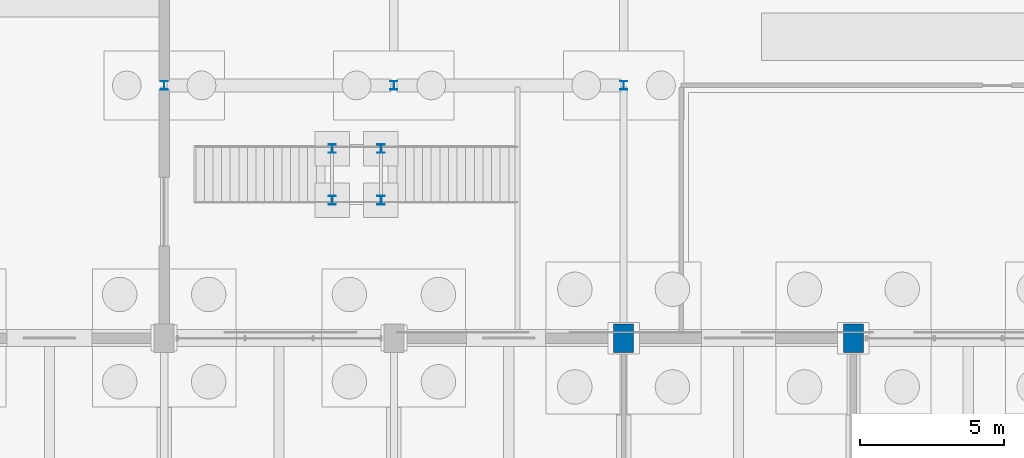
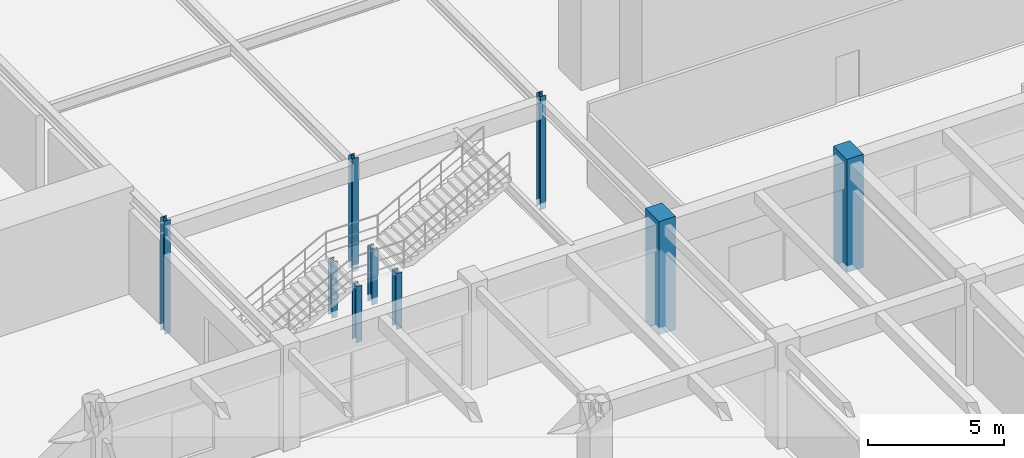
# One storey, part 12 of 147: 9 columns.
"""IFC4 building model written with IfcOpenShell, lengths in metres."""

import ifcopenshell
import ifcopenshell.guid

model = None  # the IFC model being written
_history = None  # IfcOwnerHistory: only IFC2X3 demands one
_inside = {}  # id of a spatial element -> (the spatial element, [elements in it])
_under = {}  # id of a project, library or spatial element -> (it, [spatial elements below it])
_declared = {}  # id of a project -> (the project, [libraries it declares])
_typed = {}  # id of a type object -> (the type object, [elements of that type])
_made_of = {}  # id of a material, layer set ... -> (it, [elements and type objects made of it])


def new_model(schema):
    """Start an empty IFC model of exactly this schema.

    Asked for "IFC4X3", IfcOpenShell would pick the latest addendum, in which some entities
    have other attributes; the version numbers below select the first issue.
    IFC2X3 requires an IfcOwnerHistory on every rooted entity: one is made here for all.
    """
    global model, _history
    if schema == "IFC4X3":
        model = ifcopenshell.file(schema_version=(4, 3, 0, 0))
    else:
        model = ifcopenshell.file(schema=schema)
    _inside.clear()
    _under.clear()
    _declared.clear()
    _typed.clear()
    _made_of.clear()
    _history = None
    if model.schema == "IFC2X3":
        org = make("IfcOrganization", Name="unknown")
        user = make(
            "IfcPersonAndOrganization",
            ThePerson=make("IfcPerson", FamilyName="unknown"),
            TheOrganization=org,
        )
        app = make(
            "IfcApplication",
            ApplicationDeveloper=org,
            Version="unknown",
            ApplicationFullName="unknown",
            ApplicationIdentifier="unknown",
        )
        _history = make(
            "IfcOwnerHistory",
            OwningUser=user,
            OwningApplication=app,
            ChangeAction="ADDED",
            CreationDate=0,
        )
    return model


def make(cls, **values):
    """One entity of the class cls with the attributes given. An attribute that is None is left unset."""
    return model.create_entity(
        cls, **{name: value for name, value in values.items() if value is not None}
    )


def rooted(cls, **values):
    """An entity with a GlobalId (a new one), such as an element, a storey or a relation."""
    return make(cls, GlobalId=ifcopenshell.guid.new(), OwnerHistory=_history, **values)


def si_unit(unit_type, name, prefix=None):
    """IfcSIUnit, for example si_unit("LENGTHUNIT", "METRE", prefix="MILLI")."""
    return make("IfcSIUnit", UnitType=unit_type, Prefix=prefix, Name=name)


def assignment(units):
    """IfcUnitAssignment: the units of a project."""
    return None if units is None else make("IfcUnitAssignment", Units=units)


def point(xyz):
    """IfcCartesianPoint."""
    return None if xyz is None else make("IfcCartesianPoint", Coordinates=xyz)


def direction(xyz):
    """IfcDirection."""
    return None if xyz is None else make("IfcDirection", DirectionRatios=xyz)


def frame(location, z_axis=None, x_axis=None):
    """IfcAxis2Placement3D, a coordinate frame: its origin and axes. An axis left out is left unset."""
    return make(
        "IfcAxis2Placement3D",
        Location=point(location),
        Axis=direction(z_axis),
        RefDirection=direction(x_axis),
    )


def frame_2d(location, x_axis=None):
    """IfcAxis2Placement2D, a coordinate frame in the plane: its origin and x axis."""
    return make(
        "IfcAxis2Placement2D", Location=point(location), RefDirection=direction(x_axis)
    )


def origin():
    """The frame at (0, 0, 0) with its axes left unset."""
    return frame((0.0, 0.0, 0.0))


def origin_2d():
    """The frame at (0, 0) in the plane with its x axis left unset."""
    return frame_2d((0.0, 0.0))


def place(relative_to, where):
    """IfcLocalPlacement: puts the frame where relative to a parent placement (None: the world)."""
    return make(
        "IfcLocalPlacement", PlacementRelTo=relative_to, RelativePlacement=where
    )


def context(
    kind, dimensions, precision=None, world=None, true_north=None, identifier=None
):
    """IfcGeometricRepresentationContext, for example the 3D "Model" context."""
    return make(
        "IfcGeometricRepresentationContext",
        ContextIdentifier=identifier,
        ContextType=kind,
        CoordinateSpaceDimension=dimensions,
        Precision=precision,
        WorldCoordinateSystem=world,
        TrueNorth=true_north,
    )


def subcontext(parent, identifier, kind, view, scale=None):
    """IfcGeometricRepresentationSubContext, for example "Body" below "Model"."""
    return make(
        "IfcGeometricRepresentationSubContext",
        ContextIdentifier=identifier,
        ContextType=kind,
        ParentContext=parent,
        TargetScale=scale,
        TargetView=view,
    )


def project(units=None, contexts=None):
    """IfcProject with its units and contexts."""
    return rooted(
        "IfcProject",
        Name="project",
        RepresentationContexts=contexts,
        UnitsInContext=assignment(units),
    )


def spatial(cls, under=None, at=None, **own):
    """A site, building, storey or space (cls), placed at a placement, below another one or the project."""
    s = rooted(cls, ObjectPlacement=at, **own)
    if under is not None:
        _under.setdefault(under.id(), (under, []))[1].append(s)
    return s


def profile(cls, at=None, kind="AREA", **sizes):
    """A parametric profile (cls). Its sizes go by their IFC names, for example OverallWidth=200.0."""
    return make(cls, ProfileType=kind, Position=at, **sizes)


def rectangle(**sizes):
    """IfcRectangleProfileDef."""
    return profile("IfcRectangleProfileDef", **sizes)


def i_section(**sizes):
    """IfcIShapeProfileDef."""
    return profile("IfcIShapeProfileDef", **sizes)


def extrude(swept, where, along, depth):
    """IfcExtrudedAreaSolid: the profile swept, set in the frame where, extruded along a direction by depth."""
    return make(
        "IfcExtrudedAreaSolid",
        SweptArea=swept,
        Position=where,
        ExtrudedDirection=direction(along),
        Depth=depth,
    )


def shape(context_of_items, identifier, shape_type, items):
    """IfcShapeRepresentation: the items that make up one representation, for example the "Body"."""
    return make(
        "IfcShapeRepresentation",
        ContextOfItems=context_of_items,
        RepresentationIdentifier=identifier,
        RepresentationType=shape_type,
        Items=items,
    )


def material(Name=None, Category=None):
    """IfcMaterial."""
    return make("IfcMaterial", Name=Name, Category=Category)


def material_profile(
    of_material, cross_section, Name=None, Category=None, Priority=None
):
    """IfcMaterialProfile: a cross section and its material."""
    return make(
        "IfcMaterialProfile",
        Name=Name,
        Material=of_material,
        Profile=cross_section,
        Priority=Priority,
        Category=Category,
    )


def profile_set(profiles, Name=None, composite=None):
    """IfcMaterialProfileSet."""
    return make(
        "IfcMaterialProfileSet",
        Name=Name,
        MaterialProfiles=profiles,
        CompositeProfile=composite,
    )


def made_of(thing, what):
    """Note that an element or type object is made of a material, layer set ...; save() writes the relation."""
    if what is not None:
        _made_of.setdefault(what.id(), (what, []))[1].append(thing)
    return thing


def type_object(cls, material=None, **own):
    """A type object (cls), such as IfcWallType, which elements share."""
    return made_of(rooted(cls, **own), material)


def element(
    cls,
    number,
    at=None,
    inside=None,
    cuts=None,
    type_object=None,
    material=None,
    context=None,
    identifier="Body",
    shape_type=None,
    held_by="IfcProductDefinitionShape",
    body=None,
    shapes=None,
    **own,
):
    """One element of the class cls, such as IfcWall. Its Tag is "e" and its number.

    at: its placement. inside: the storey or other place that contains it. cuts: it is an
    opening in that element (IfcRelVoidsElement). A single representation is given by context,
    identifier, shape_type and body (its items); several are given by shapes. held_by: the class
    of the entity that holds the representations. save() writes the other relations.
    """
    e = rooted(cls, Tag="e%d" % number, ObjectPlacement=at, **own)
    if body is not None:
        shapes = [shape(context, identifier, shape_type, body)]
    if shapes is not None:
        e.Representation = make(held_by, Representations=shapes)
    if inside is not None:
        _inside.setdefault(inside.id(), (inside, []))[1].append(e)
    if cuts is not None:
        rooted(
            "IfcRelVoidsElement", RelatingBuildingElement=cuts, RelatedOpeningElement=e
        )
    if type_object is not None:
        _typed.setdefault(type_object.id(), (type_object, []))[1].append(e)
    return made_of(e, material)


def aggregate(whole, parts):
    """IfcRelAggregates: a whole, such as a stair, and the parts it consists of."""
    return rooted("IfcRelAggregates", RelatingObject=whole, RelatedObjects=parts)


def save(model, path):
    """Write the relations noted so far, then the file.

    IfcRelAggregates (storeys below a building ...), IfcRelContainedInSpatialStructure (elements
    in a storey), IfcRelDefinesByType, IfcRelAssociatesMaterial and IfcRelDeclares: one each for
    every whole, place, type object, material and project.
    """
    for whole, parts in _under.values():
        aggregate(whole, parts)
    for where, things in _inside.values():
        rooted(
            "IfcRelContainedInSpatialStructure",
            RelatedElements=things,
            RelatingStructure=where,
        )
    for kind, things in _typed.values():
        rooted("IfcRelDefinesByType", RelatedObjects=things, RelatingType=kind)
    for what, things in _made_of.values():
        rooted("IfcRelAssociatesMaterial", RelatedObjects=things, RelatingMaterial=what)
    for by, libraries in _declared.values():
        rooted("IfcRelDeclares", RelatingContext=by, RelatedDefinitions=libraries)
    model.write(path)


model = new_model("IFC4")

# Units and contexts
model_context = context("Model", 3, precision=1e-05, world=origin(), true_north=direction((0.0, 1.0)))
body_context = subcontext(model_context, "Body", "Model", "MODEL_VIEW")
ifc_project = project(units=[si_unit("LENGTHUNIT", "METRE"), si_unit("AREAUNIT", "SQUARE_METRE"), si_unit("VOLUMEUNIT", "CUBIC_METRE"), si_unit("PLANEANGLEUNIT", "RADIAN"), si_unit("MASSUNIT", "GRAM", prefix="KILO")], contexts=[model_context])

# Site, building, storey
site_placement = place(None, origin())
site = spatial("IfcSite", under=ifc_project, at=site_placement, CompositionType="ELEMENT")
building_placement = place(site_placement, origin())
building = spatial("IfcBuilding", under=site, at=building_placement, Name="Varnabhumi Central Station", CompositionType="ELEMENT")
storey_placement = place(building_placement, origin())
storey = spatial("IfcBuildingStorey", under=building, at=storey_placement, Name="L00", CompositionType="ELEMENT", Elevation=0.0)

# Columns
ifc_material_1 = material(Name="Structural steel E350", Category="steel")
ifc_material_profile_1 = material_profile(ifc_material_1, i_section(OverallWidth=0.25, OverallDepth=0.300048828125, WebThickness=0.009521484375, FlangeThickness=0.010498046875, FilletRadius=0.010986328125, at=origin_2d()), Name="Structural steel E350", Category="steel")
ifc_profile_set_1 = profile_set([ifc_material_profile_1], Name="Structural steel E350")
column_type_1 = type_object("IfcColumnType", Name="COL-GALLERY-ISHB300", PredefinedType="COLUMN", material=ifc_profile_set_1)
for number, where, z_axis, x_axis, name in (
    (1, (24.0, 44.800048828125, -0.300048828125), (0.0, 0.0, 1.0), (1.0, 0.0, 0.0), "Gallery Column L00-4F"),
    (2, (32.0, 44.800048828125, -0.300048828125), (0.0, 0.0, 1.0), (1.0, 0.0, 0.0), "Gallery Column L00-5F"),
    (3, (40.0, 44.800048828125, -0.300048828125), (0.0, 0.0, 1.0), (1.0, 0.0, 0.0), "Gallery Column L00-6F"),
):
    element("IfcColumn", number, at=place(storey_placement, frame(where, z_axis=z_axis, x_axis=x_axis)), inside=storey, type_object=column_type_1, Name=name, PredefinedType="COLUMN", context=body_context, shape_type="SweptSolid", body=[
        extrude(i_section(OverallWidth=0.25, OverallDepth=0.300048828125, WebThickness=0.009521484375, FlangeThickness=0.010498046875, FilletRadius=0.010986328125, at=origin_2d()), origin(), (0.0, 0.0, 1.0), 5.10009765625),
    ])
for number, where, z_axis, x_axis, name in (
    (4, (29.85009765625, 40.800048828125, -0.300048828125), (0.0, 0.0, 1.0), (1.0, 0.0, 0.0), "Mezzanine Stair Landing Post 1S"),
    (5, (29.85009765625, 42.60009765625, -0.300048828125), (0.0, 0.0, 1.0), (1.0, 0.0, 0.0), "Mezzanine Stair Landing Post 1N"),
    (6, (31.550048828125, 40.800048828125, -0.300048828125), (0.0, 0.0, 1.0), (1.0, 0.0, 0.0), "Mezzanine Stair Landing Post 2S"),
    (7, (31.550048828125, 42.60009765625, -0.300048828125), (0.0, 0.0, 1.0), (1.0, 0.0, 0.0), "Mezzanine Stair Landing Post 2N"),
):
    element("IfcColumn", number, at=place(storey_placement, frame(where, z_axis=z_axis, x_axis=x_axis)), inside=storey, type_object=column_type_1, Name=name, PredefinedType="COLUMN", context=body_context, shape_type="SweptSolid", body=[
        extrude(i_section(OverallWidth=0.25, OverallDepth=0.300048828125, WebThickness=0.009521484375, FlangeThickness=0.010498046875, FilletRadius=0.010986328125, at=origin_2d()), origin(), (0.0, 0.0, 1.0), 2.52001953125),
    ])
ifc_material_2 = material(Name="Concrete M50", Category="concrete")
ifc_material_profile_2 = material_profile(ifc_material_2, rectangle(XDim=0.699951171875, YDim=1.0, at=origin_2d()), Name="Concrete M50", Category="concrete")
ifc_profile_set_2 = profile_set([ifc_material_profile_2], Name="Concrete M50")
column_type_2 = type_object("IfcColumnType", Name="COL-SPINE-M50-1000x700", PredefinedType="COLUMN", material=ifc_profile_set_2)
for number, where, z_axis, x_axis, name in (
    (8, (40.0, 36.0, -0.300048828125), (0.0, 0.0, 1.0), (1.0, 0.0, 0.0), "Column L00-6E"),
    (9, (48.0, 36.0, -0.300048828125), (0.0, 0.0, 1.0), (1.0, 0.0, 0.0), "Column L00-7E"),
):
    element("IfcColumn", number, at=place(storey_placement, frame(where, z_axis=z_axis, x_axis=x_axis)), inside=storey, type_object=column_type_2, Name=name, PredefinedType="COLUMN", context=body_context, shape_type="SweptSolid", body=[
        extrude(rectangle(XDim=0.699951171875, YDim=1.0, at=origin_2d()), origin(), (0.0, 0.0, 1.0), 5.10009765625),
    ])

save(model, "model.ifc")
